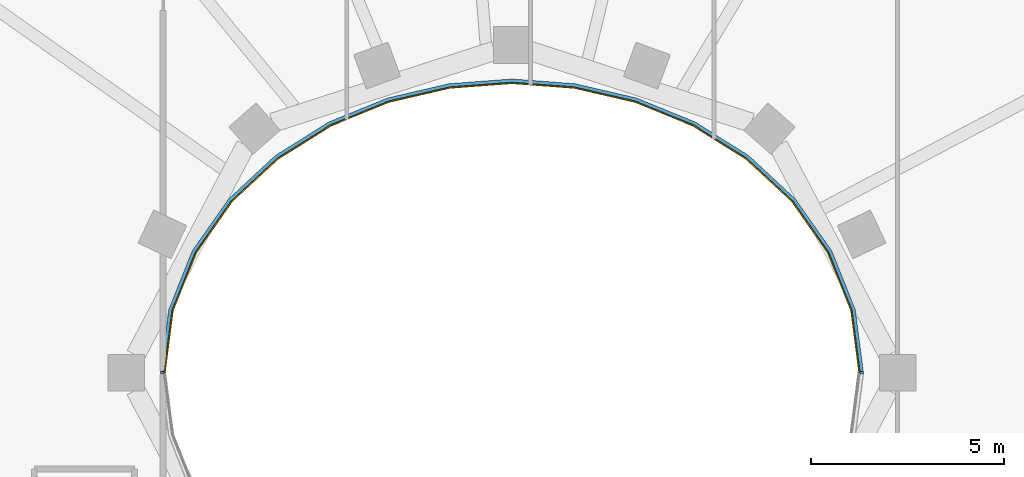
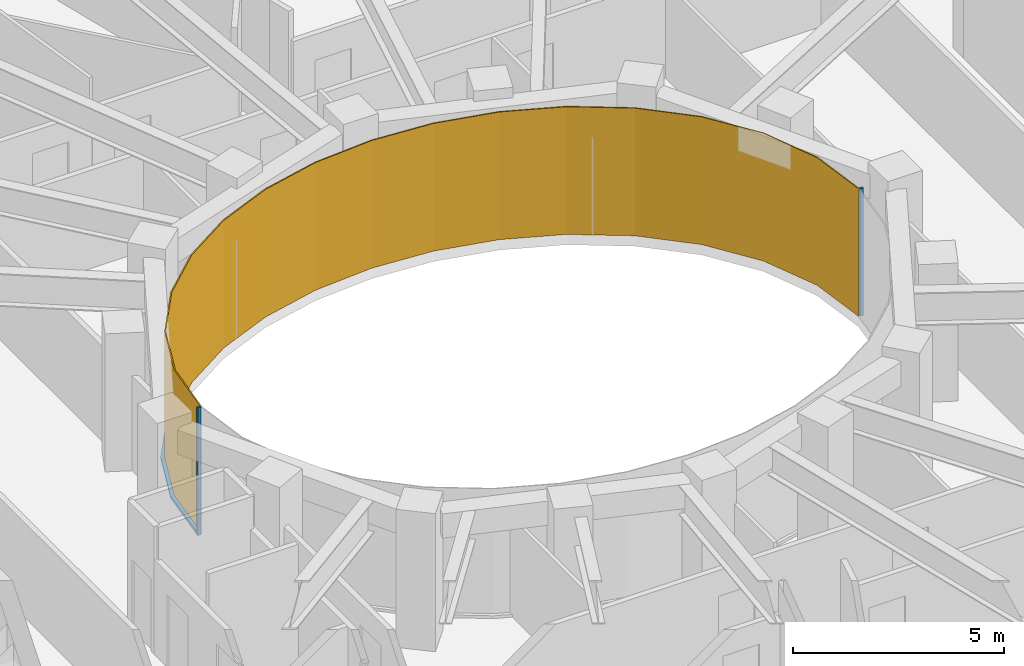
# One storey, part 12 of 16: 3 members, 1 curtain wall.
"""IFC4 building model written with IfcOpenShell, lengths in metres."""

from ifc_helpers import new_model, si_unit, direction, frame, origin, origin_2d, place, context, subcontext, project, spatial, polyline, rectangle, outline, extrude, material, layer, layer_set, material_profile, profile_set, type_object, element, aggregate, save


model = new_model("IFC4")

# Units and contexts
model_context = context("Model", 3, precision=1e-05, world=origin(), true_north=direction((0.0, 1.0)))
body_context = subcontext(model_context, "Body", "Model", "MODEL_VIEW")
ifc_project = project(units=[si_unit("LENGTHUNIT", "METRE"), si_unit("AREAUNIT", "SQUARE_METRE"), si_unit("VOLUMEUNIT", "CUBIC_METRE"), si_unit("PLANEANGLEUNIT", "RADIAN"), si_unit("MASSUNIT", "GRAM", prefix="KILO")], contexts=[model_context])

# Member
ifc_material_1 = material(Name="Steel S355 fire-resisting frame", Category="steel")
ifc_material_profile = material_profile(ifc_material_1, rectangle(XDim=0.090087890625, YDim=0.06005859375, at=origin_2d()), Name="90x60")
ifc_profile_set = profile_set([ifc_material_profile], Name="Steel S355 fire-resisting frame")
member_type_1 = type_object("IfcMemberType", Name="ENV-MULLION-W-90", PredefinedType="MULLION", material=ifc_profile_set)
site_placement = place(None, origin())
building_placement = place(site_placement, origin())
storey_placement = place(building_placement, frame((0.0, 0.0, 261.5)))
member_1_placement = place(storey_placement, frame((9.076904296875, 0.0, 0.0), z_axis=(0.0, 0.0, 1.0), x_axis=(1.0, 0.0, 0.0)))
member_1 = element("IfcMember", 1, at=member_1_placement, type_object=member_type_1, Name="Mullion W well vertex 01", PredefinedType="MULLION", context=body_context, shape_type="SweptSolid", body=[
    extrude(rectangle(XDim=0.090087890625, YDim=0.06005859375, at=origin_2d()), origin(), (0.0, 0.0, 1.0), 3.699951171875),
])

member_2_placement = place(storey_placement, frame((-9.076904296875, 0.0, 0.0), z_axis=(0.0, 0.0, 1.0), x_axis=(-1.0, 0.0, 0.0)))
member_2 = element("IfcMember", 2, at=member_2_placement, type_object=member_type_1, Name="Mullion W well vertex 17", PredefinedType="MULLION", context=body_context, shape_type="SweptSolid", body=[
    extrude(rectangle(XDim=0.090087890625, YDim=0.06005859375, at=origin_2d()), origin(), (0.0, 0.0, 1.0), 3.699951171875),
])

ifc_material_2 = material(Name="Steel S355 fire-resisting frame", Category="steel")
member_type_2 = type_object("IfcMemberType", Name="ENV-TRANSOM-W", PredefinedType="USERDEFINED", material=ifc_material_2)
member_3_placement = place(storey_placement, origin())
member_3 = element("IfcMember", 3, at=member_3_placement, type_object=member_type_2, Name="Transom W well 01-17", ObjectType="TRANSOM", PredefinedType="USERDEFINED", context=body_context, shape_type="SweptSolid", body=[
    extrude(outline(polyline([(9.119384765625, 0.02783203125), (8.910400390625, 1.63623046875), (8.29833984375, 3.167236328125), (7.35107421875, 4.5146484375), (6.1455078125, 5.6337890625), (4.75341796875, 6.50634765625), (3.233642578125, 7.127685546875), (1.635498046875, 7.498779296875), (0.0, 7.622314453125), (-1.635498046875, 7.498779296875), (-3.233642578125, 7.127685546875), (-4.75341796875, 6.50634765625), (-6.1455078125, 5.6337890625), (-7.35107421875, 4.5146484375), (-8.29833984375, 3.167236328125), (-8.910400390625, 1.63623046875), (-9.119384765625, 0.02783203125), (-9.02880859375, 0.02783203125), (-8.822509765625, 1.61328125), (-8.21875, 3.124267578125), (-7.282958984375, 4.455078125), (-6.090576171875, 5.56201171875), (-4.712158203125, 6.426025390625), (-3.206298828125, 7.04150390625), (-1.621826171875, 7.40966796875), (0.0, 7.531982421875), (1.621826171875, 7.40966796875), (3.206298828125, 7.04150390625), (4.712158203125, 6.426025390625), (6.090576171875, 5.56201171875), (7.282958984375, 4.455078125), (8.21875, 3.124267578125), (8.822509765625, 1.61328125), (9.02880859375, 0.02783203125), (9.119384765625, 0.02783203125)])), origin(), (0.0, 0.0, 1.0), 0.080078125),
])

# Site, building, storey
site = spatial("IfcSite", under=ifc_project, at=site_placement, CompositionType="ELEMENT")
building = spatial("IfcBuilding", under=site, at=building_placement, Name="Noorbagh Ring Tower", CompositionType="ELEMENT")
storey = spatial("IfcBuildingStorey", under=building, at=storey_placement, Name="L55", CompositionType="ELEMENT", Elevation=261.5)

# Curtain wall
ifc_material_3 = material(Name="Glass fire-resisting E60 laminated", Category="glass")
ifc_layer = layer(ifc_material_3, 0.031982421875)
ifc_layer_set = layer_set([ifc_layer], Name="Glass fire-resisting E60 laminated")
curtain_wall_type = type_object("IfcCurtainWallType", Name="ENV-CW-W", PredefinedType="NOTDEFINED", material=ifc_layer_set)
curtain_wall_placement = place(storey_placement, origin())
curtain_wall = element("IfcCurtainWall", 4, at=curtain_wall_placement, inside=storey, type_object=curtain_wall_type, Name="Curtain wall W W01", PredefinedType="NOTDEFINED", context=body_context, shape_type="SweptSolid", body=[
    extrude(outline(polyline([(9.0322265625, 0.0), (8.822509765625, 1.61328125), (8.21875, 3.124267578125), (7.282958984375, 4.455078125), (6.090576171875, 5.56201171875), (4.712158203125, 6.426025390625), (3.206298828125, 7.04150390625), (1.621826171875, 7.40966796875), (0.0, 7.531982421875), (-1.621826171875, 7.40966796875), (-3.206298828125, 7.04150390625), (-4.712158203125, 6.426025390625), (-6.090576171875, 5.56201171875), (-7.282958984375, 4.455078125), (-8.21875, 3.124267578125), (-8.822509765625, 1.61328125), (-9.0322265625, 0.0), (-9.0, 0.0), (-8.79150390625, 1.605224609375), (-8.1904296875, 3.10888671875), (-7.2587890625, 4.43408203125), (-6.071044921875, 5.53662109375), (-4.697509765625, 6.3974609375), (-3.196533203125, 7.010986328125), (-1.6171875, 7.3779296875), (0.0, 7.5), (1.6171875, 7.3779296875), (3.196533203125, 7.010986328125), (4.697509765625, 6.3974609375), (6.071044921875, 5.53662109375), (7.2587890625, 4.43408203125), (8.1904296875, 3.10888671875), (8.79150390625, 1.605224609375), (9.0, 0.0), (9.0322265625, 0.0)])), origin(), (0.0, 0.0, 1.0), 3.699951171875),
])

aggregate(curtain_wall, [member_1, member_2, member_3])

save(model, "model.ifc")
